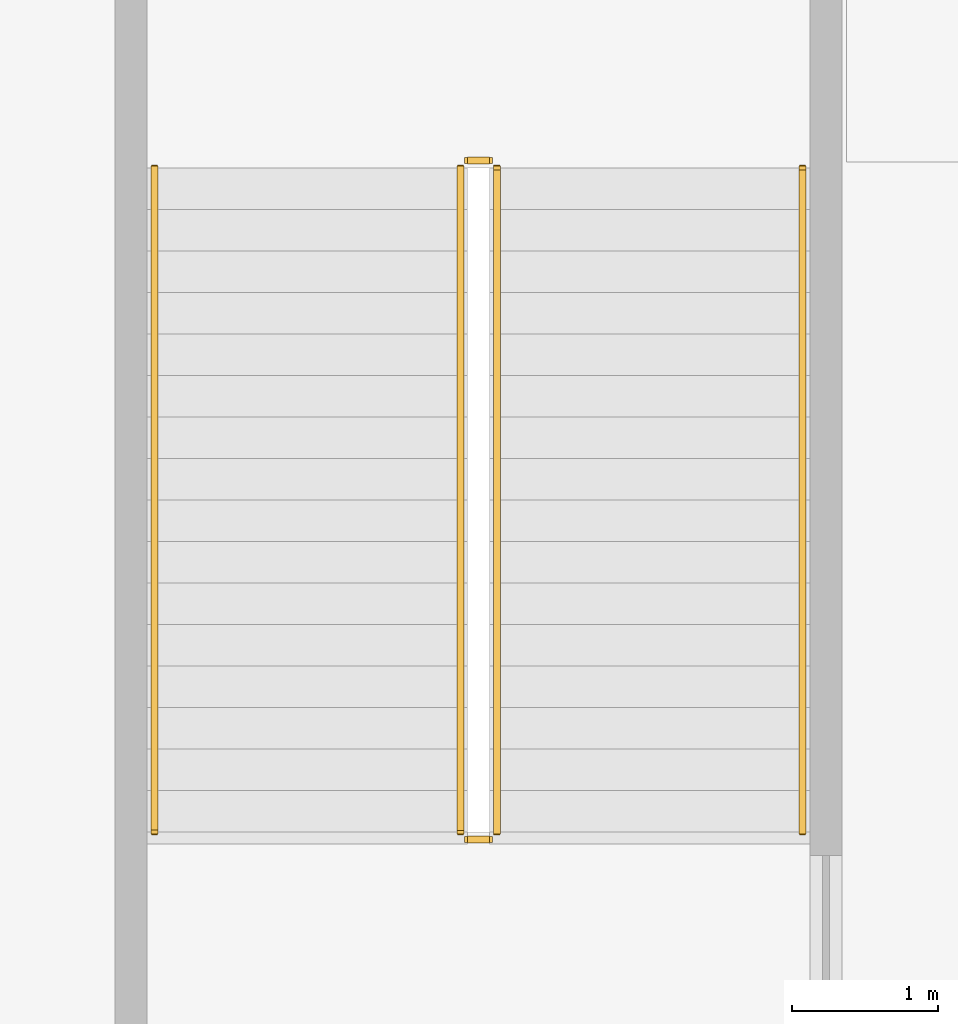
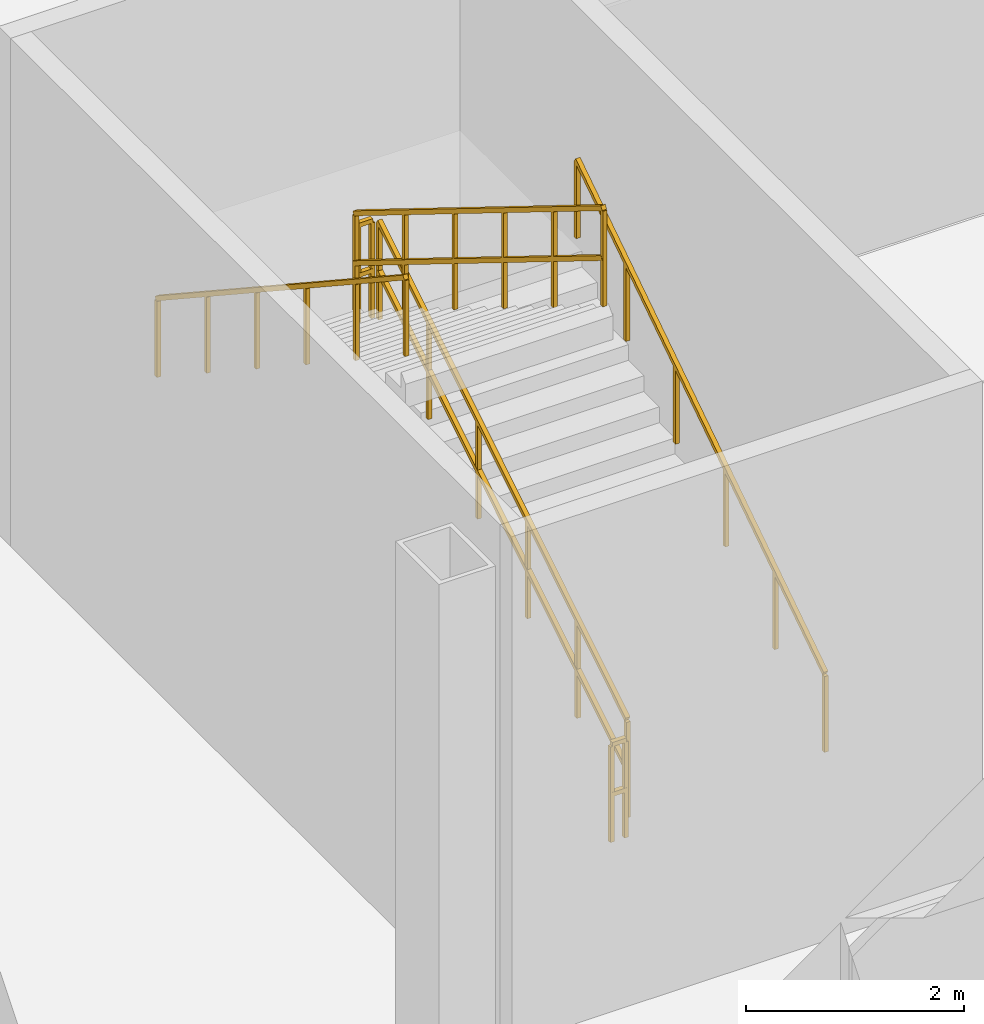
# One storey, part 17 of 25: 6 railings.
"""IFC4 building model written with IfcOpenShell, lengths in metres."""

from ifc_helpers import new_model, si_unit, direction, frame, origin, origin_2d, place, context, subcontext, project, spatial, rectangle, extrude, material, type_object, element, save


model = new_model("IFC4")

# Units and contexts
model_context = context("Model", 3, precision=1e-05, world=origin(), true_north=direction((0.0, 1.0)))
body_context = subcontext(model_context, "Body", "Model", "MODEL_VIEW")
ifc_project = project(units=[si_unit("LENGTHUNIT", "METRE"), si_unit("AREAUNIT", "SQUARE_METRE"), si_unit("VOLUMEUNIT", "CUBIC_METRE"), si_unit("PLANEANGLEUNIT", "RADIAN"), si_unit("MASSUNIT", "GRAM", prefix="KILO")], contexts=[model_context])

# Site, building, storey
site_placement = place(None, origin())
site = spatial("IfcSite", under=ifc_project, at=site_placement, CompositionType="ELEMENT")
building_placement = place(site_placement, origin())
building = spatial("IfcBuilding", under=site, at=building_placement, Name="Apsidion Concourse Tower", CompositionType="ELEMENT")
storey_placement = place(building_placement, frame((0.0, 0.0, 11.5)))
storey = spatial("IfcBuildingStorey", under=building, at=storey_placement, Name="L02", CompositionType="ELEMENT", Elevation=11.5)

# Railings
ifc_material = material(Name="Brushed stainless steel 316", Category="steel")
railing_type_1 = type_object("IfcRailingType", Name="RL-GUARD-1100", PredefinedType="GUARDRAIL", material=ifc_material)
railing_1_placement = place(storey_placement, frame((-31.800048828125, -22.60009765625, 0.176513671875)))
element("IfcRailing", 1, at=railing_1_placement, inside=storey, type_object=railing_type_1, Name="L02 ST-P1 stair guard 1", PredefinedType="GUARDRAIL", context=body_context, shape_type="SweptSolid", body=[
    extrude(rectangle(XDim=0.048095703125, YDim=0.048095703125, at=origin_2d()), frame((0.0, 0.0, 1.09619140625), z_axis=(0.0, 0.850215668316, 0.526434532824), x_axis=(-1.0, 0.0, 0.0)), (0.0, 0.0, 1.0), 5.363525390625),
    extrude(rectangle(XDim=0.048095703125, YDim=0.048095703125, at=origin_2d()), frame((0.0, 0.0, 0.5361328125), z_axis=(0.0, 0.850215668316, 0.526434532824), x_axis=(-1.0, 0.0, 0.0)), (0.0, 0.0, 1.0), 5.363525390625),
    extrude(rectangle(XDim=0.0419921875, YDim=0.0419921875, at=origin_2d()), origin(), (0.0, 0.0, 1.0), 1.072021484375),
    extrude(rectangle(XDim=0.0419921875, YDim=0.0419921875, at=origin_2d()), frame((0.0, 0.912109375, 0.564697265625)), (0.0, 0.0, 1.0), 1.072021484375),
    extrude(rectangle(XDim=0.0419921875, YDim=0.0419921875, at=origin_2d()), frame((0.0, 1.823974609375, 1.12939453125)), (0.0, 0.0, 1.0), 1.072021484375),
    extrude(rectangle(XDim=0.0419921875, YDim=0.0419921875, at=origin_2d()), frame((0.0, 2.736083984375, 1.694091796875)), (0.0, 0.0, 1.0), 1.072021484375),
    extrude(rectangle(XDim=0.0419921875, YDim=0.0419921875, at=origin_2d()), frame((0.0, 3.64794921875, 2.2587890625)), (0.0, 0.0, 1.0), 1.072021484375),
    extrude(rectangle(XDim=0.0419921875, YDim=0.0419921875, at=origin_2d()), frame((0.0, 4.56005859375, 2.823486328125)), (0.0, 0.0, 1.0), 1.072021484375),
])
railing_2_placement = place(storey_placement, frame((-31.85009765625, -17.989990234375, 3.0)))
element("IfcRailing", 2, at=railing_2_placement, inside=storey, type_object=railing_type_1, Name="L02 ST-P1 stair guard 2", PredefinedType="GUARDRAIL", context=body_context, shape_type="SweptSolid", body=[
    extrude(rectangle(XDim=0.048095703125, YDim=0.048095703125, at=origin_2d()), frame((0.0, 0.0, 1.09619140625), z_axis=(-1.0, 0.0, 0.0), x_axis=(0.0, -1.0, 0.0)), (0.0, 0.0, 1.0), 0.14990234375),
    extrude(rectangle(XDim=0.048095703125, YDim=0.048095703125, at=origin_2d()), frame((0.0, 0.0, 0.5361328125), z_axis=(-1.0, 0.0, 0.0), x_axis=(0.0, -1.0, 0.0)), (0.0, 0.0, 1.0), 0.14990234375),
    extrude(rectangle(XDim=0.0419921875, YDim=0.0419921875, at=origin_2d()), origin(), (0.0, 0.0, 1.0), 1.072021484375),
    extrude(rectangle(XDim=0.0419921875, YDim=0.0419921875, at=origin_2d()), frame((-0.14990234375, 0.0, 0.0)), (0.0, 0.0, 1.0), 1.072021484375),
])
railing_3_placement = place(storey_placement, frame((-32.050048828125, -18.0400390625, 3.176513671875)))
element("IfcRailing", 3, at=railing_3_placement, inside=storey, type_object=railing_type_1, Name="L02 ST-P1 stair guard 3", PredefinedType="GUARDRAIL", context=body_context, shape_type="SweptSolid", body=[
    extrude(rectangle(XDim=0.048095703125, YDim=0.048095703125, at=origin_2d()), frame((0.0, 0.0, 1.09619140625), z_axis=(0.0, -0.850215668316, 0.526434532824), x_axis=(1.0, 0.0, 0.0)), (0.0, 0.0, 1.0), 5.363525390625),
    extrude(rectangle(XDim=0.048095703125, YDim=0.048095703125, at=origin_2d()), frame((0.0, 0.0, 0.5361328125), z_axis=(0.0, -0.850215668316, 0.526434532824), x_axis=(1.0, 0.0, 0.0)), (0.0, 0.0, 1.0), 5.363525390625),
    extrude(rectangle(XDim=0.0419921875, YDim=0.0419921875, at=origin_2d()), origin(), (0.0, 0.0, 1.0), 1.072021484375),
    extrude(rectangle(XDim=0.0419921875, YDim=0.0419921875, at=origin_2d()), frame((0.0, -0.912109375, 0.564697265625)), (0.0, 0.0, 1.0), 1.072021484375),
    extrude(rectangle(XDim=0.0419921875, YDim=0.0419921875, at=origin_2d()), frame((0.0, -1.823974609375, 1.12939453125)), (0.0, 0.0, 1.0), 1.072021484375),
    extrude(rectangle(XDim=0.0419921875, YDim=0.0419921875, at=origin_2d()), frame((0.0, -2.736083984375, 1.694091796875)), (0.0, 0.0, 1.0), 1.072021484375),
    extrude(rectangle(XDim=0.0419921875, YDim=0.0419921875, at=origin_2d()), frame((0.0, -3.64794921875, 2.2587890625)), (0.0, 0.0, 1.0), 1.072021484375),
    extrude(rectangle(XDim=0.0419921875, YDim=0.0419921875, at=origin_2d()), frame((0.0, -4.56005859375, 2.823486328125)), (0.0, 0.0, 1.0), 1.072021484375),
])
railing_4_placement = place(storey_placement, frame((-31.85009765625, -22.64990234375, 0.0)))
element("IfcRailing", 4, at=railing_4_placement, inside=storey, type_object=railing_type_1, Name="L02 ST-P1 stair guard 4", PredefinedType="GUARDRAIL", context=body_context, shape_type="SweptSolid", body=[
    extrude(rectangle(XDim=0.048095703125, YDim=0.048095703125, at=origin_2d()), frame((0.0, 0.0, 1.09619140625), z_axis=(-1.0, 0.0, 0.0), x_axis=(0.0, -1.0, 0.0)), (0.0, 0.0, 1.0), 0.14990234375),
    extrude(rectangle(XDim=0.048095703125, YDim=0.048095703125, at=origin_2d()), frame((0.0, 0.0, 0.5361328125), z_axis=(-1.0, 0.0, 0.0), x_axis=(0.0, -1.0, 0.0)), (0.0, 0.0, 1.0), 0.14990234375),
    extrude(rectangle(XDim=0.0419921875, YDim=0.0419921875, at=origin_2d()), origin(), (0.0, 0.0, 1.0), 1.072021484375),
    extrude(rectangle(XDim=0.0419921875, YDim=0.0419921875, at=origin_2d()), frame((-0.14990234375, 0.0, 0.0)), (0.0, 0.0, 1.0), 1.072021484375),
])
railing_type_2 = type_object("IfcRailingType", Name="RL-HAND-900", PredefinedType="HANDRAIL", material=ifc_material)
railing_5_placement = place(storey_placement, frame((-29.699951171875, -22.60009765625, 0.176513671875)))
element("IfcRailing", 5, at=railing_5_placement, inside=storey, type_object=railing_type_2, Name="L02 ST-P1 stair handrail 1", PredefinedType="HANDRAIL", context=body_context, shape_type="SweptSolid", body=[
    extrude(rectangle(XDim=0.048095703125, YDim=0.048095703125, at=origin_2d()), frame((0.0, 0.0, 0.8759765625), z_axis=(0.0, 0.835420324919, 0.549611572578), x_axis=(-1.0, 0.0, 0.0)), (0.0, 0.0, 1.0), 5.45849609375),
    extrude(rectangle(XDim=0.0419921875, YDim=0.0419921875, at=origin_2d()), origin(), (0.0, 0.0, 1.0), 0.851806640625),
    extrude(rectangle(XDim=0.0419921875, YDim=0.0419921875, at=origin_2d()), frame((0.0, 0.912109375, 0.60009765625)), (0.0, 0.0, 1.0), 0.851806640625),
    extrude(rectangle(XDim=0.0419921875, YDim=0.0419921875, at=origin_2d()), frame((0.0, 1.823974609375, 1.199951171875)), (0.0, 0.0, 1.0), 0.851806640625),
    extrude(rectangle(XDim=0.0419921875, YDim=0.0419921875, at=origin_2d()), frame((0.0, 2.736083984375, 1.800048828125)), (0.0, 0.0, 1.0), 0.851806640625),
    extrude(rectangle(XDim=0.0419921875, YDim=0.0419921875, at=origin_2d()), frame((0.0, 3.64794921875, 2.39990234375)), (0.0, 0.0, 1.0), 0.851806640625),
    extrude(rectangle(XDim=0.0419921875, YDim=0.0419921875, at=origin_2d()), frame((0.0, 4.56005859375, 3.0)), (0.0, 0.0, 1.0), 0.851806640625),
])
railing_6_placement = place(storey_placement, frame((-34.14990234375, -18.0400390625, 3.176513671875)))
element("IfcRailing", 6, at=railing_6_placement, inside=storey, type_object=railing_type_2, Name="L02 ST-P1 stair handrail 2", PredefinedType="HANDRAIL", context=body_context, shape_type="SweptSolid", body=[
    extrude(rectangle(XDim=0.048095703125, YDim=0.048095703125, at=origin_2d()), frame((0.0, 0.0, 0.8759765625), z_axis=(0.0, -0.835420324919, 0.549611572578), x_axis=(1.0, 0.0, 0.0)), (0.0, 0.0, 1.0), 5.45849609375),
    extrude(rectangle(XDim=0.0419921875, YDim=0.0419921875, at=origin_2d()), origin(), (0.0, 0.0, 1.0), 0.851806640625),
    extrude(rectangle(XDim=0.0419921875, YDim=0.0419921875, at=origin_2d()), frame((0.0, -0.912109375, 0.60009765625)), (0.0, 0.0, 1.0), 0.851806640625),
    extrude(rectangle(XDim=0.0419921875, YDim=0.0419921875, at=origin_2d()), frame((0.0, -1.823974609375, 1.199951171875)), (0.0, 0.0, 1.0), 0.851806640625),
    extrude(rectangle(XDim=0.0419921875, YDim=0.0419921875, at=origin_2d()), frame((0.0, -2.736083984375, 1.800048828125)), (0.0, 0.0, 1.0), 0.851806640625),
    extrude(rectangle(XDim=0.0419921875, YDim=0.0419921875, at=origin_2d()), frame((0.0, -3.64794921875, 2.39990234375)), (0.0, 0.0, 1.0), 0.851806640625),
    extrude(rectangle(XDim=0.0419921875, YDim=0.0419921875, at=origin_2d()), frame((0.0, -4.56005859375, 3.0)), (0.0, 0.0, 1.0), 0.851806640625),
])

save(model, "model.ifc")
